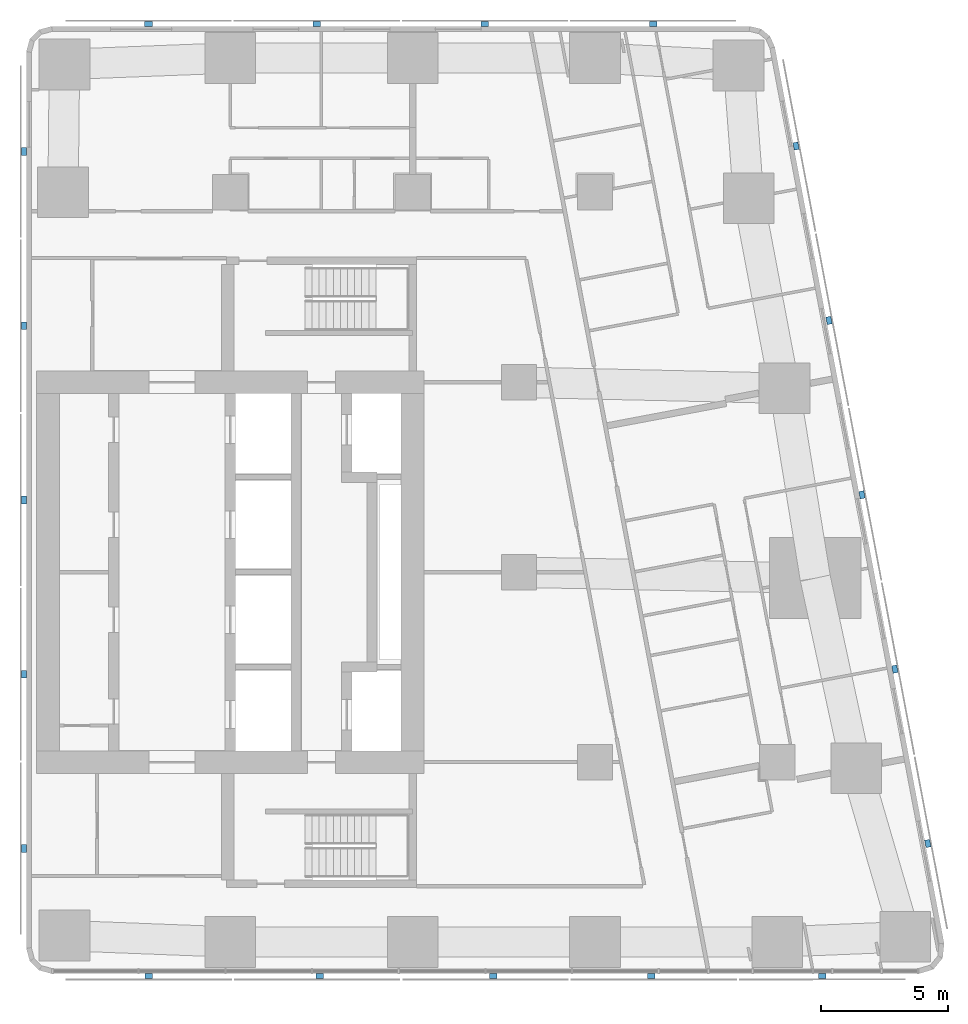
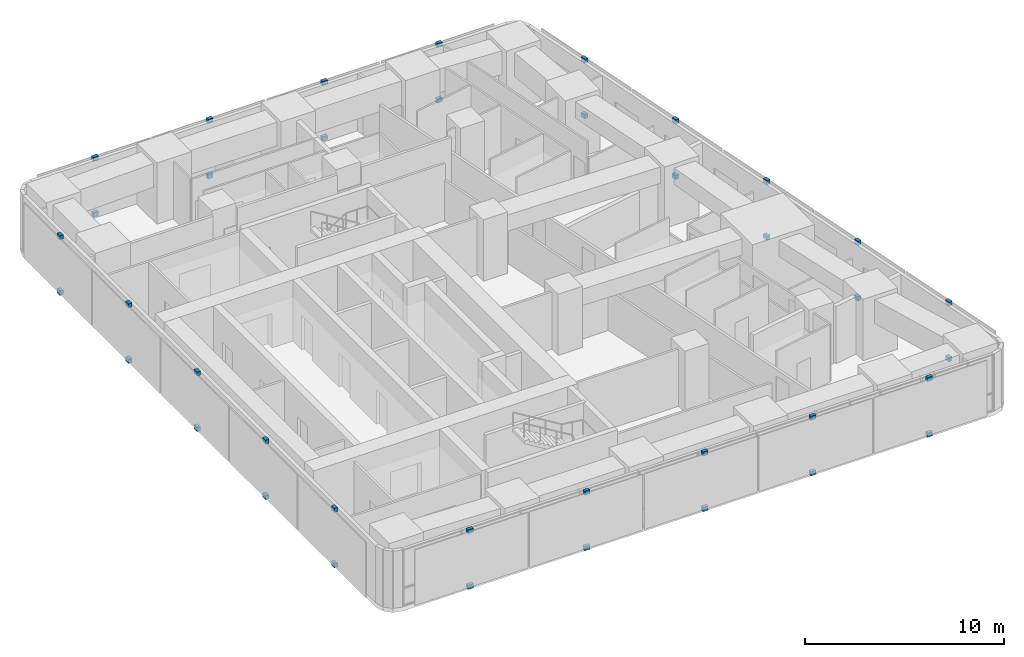
# One storey, part 9 of 11: 38 discrete accessories.
"""IFC4 building model written with IfcOpenShell, lengths in metres."""

from ifc_helpers import new_model, si_unit, direction, frame, origin, origin_2d, place, context, subcontext, project, spatial, rectangle, extrude, material, type_object, element, save


model = new_model("IFC4")

# Units and contexts
model_context = context("Model", 3, precision=1e-05, world=origin(), true_north=direction((0.0, 1.0)))
body_context = subcontext(model_context, "Body", "Model", "MODEL_VIEW")
ifc_project = project(units=[si_unit("LENGTHUNIT", "METRE"), si_unit("AREAUNIT", "SQUARE_METRE"), si_unit("VOLUMEUNIT", "CUBIC_METRE"), si_unit("PLANEANGLEUNIT", "RADIAN"), si_unit("MASSUNIT", "GRAM", prefix="KILO")], contexts=[model_context])

# Site, building, storey
site_placement = place(None, origin())
site = spatial("IfcSite", under=ifc_project, at=site_placement, CompositionType="ELEMENT")
building_placement = place(site_placement, origin())
building = spatial("IfcBuilding", under=site, at=building_placement, Name="Sheger Commons Tower", CompositionType="ELEMENT")
storey_placement = place(building_placement, frame((0.0, 0.0, 281.60009765625)))
storey = spatial("IfcBuildingStorey", under=building, at=storey_placement, Name="L72", CompositionType="ELEMENT", Elevation=281.60009765625)

# Discrete accessories
ifc_material = material(Name="Black painted steel bracket", Category="steel")
discrete_accessory_type = type_object("IfcDiscreteAccessoryType", Name="SCREEN BRACKET 300x200x250", PredefinedType="BRACKET", material=ifc_material)
for number, where, z_axis, x_axis, name in (
    (1, (18.375, 6.550048828125, -0.10009765625), (0.0, 0.0, 1.0), (1.0, 0.0, 0.0), "Solar screen foot bracket"),
    (2, (18.375, 6.550048828125, 3.2998046875), (0.0, 0.0, 1.0), (1.0, 0.0, 0.0), "Solar screen head bracket"),
    (3, (25.1259765625, 6.550048828125, -0.10009765625), (0.0, 0.0, 1.0), (1.0, 0.0, 0.0), "Solar screen foot bracket"),
    (4, (25.1259765625, 6.550048828125, 3.2998046875), (0.0, 0.0, 1.0), (1.0, 0.0, 0.0), "Solar screen head bracket"),
    (5, (31.97607421875, 6.550048828125, -0.10009765625), (0.0, 0.0, 1.0), (1.0, 0.0, 0.0), "Solar screen foot bracket"),
    (6, (31.97607421875, 6.550048828125, 3.2998046875), (0.0, 0.0, 1.0), (1.0, 0.0, 0.0), "Solar screen head bracket"),
    (7, (38.22607421875, 6.550048828125, -0.10009765625), (0.0, 0.0, 1.0), (1.0, 0.0, 0.0), "Solar screen foot bracket"),
    (8, (38.22607421875, 6.550048828125, 3.2998046875), (0.0, 0.0, 1.0), (1.0, 0.0, 0.0), "Solar screen head bracket"),
    (9, (44.97705078125, 6.550048828125, -0.10009765625), (0.0, 0.0, 1.0), (1.0, 0.0, 0.0), "Solar screen foot bracket"),
    (10, (44.97705078125, 6.550048828125, 3.2998046875), (0.0, 0.0, 1.0), (1.0, 0.0, 0.0), "Solar screen head bracket"),
    (11, (49.139892578125, 11.7880859375, -0.10009765625), (0.0, 0.0, 1.0), (-0.185615165645, 0.982622516678, 0.0), "Solar screen foot bracket"),
    (12, (49.139892578125, 11.7880859375, 3.2998046875), (0.0, 0.0, 1.0), (-0.185615165645, 0.982622516678, 0.0), "Solar screen head bracket"),
    (13, (47.840087890625, 18.6708984375, -0.10009765625), (0.0, 0.0, 1.0), (-0.185615165645, 0.982622516678, 0.0), "Solar screen foot bracket"),
    (14, (47.840087890625, 18.6708984375, 3.2998046875), (0.0, 0.0, 1.0), (-0.185615165645, 0.982622516678, 0.0), "Solar screen head bracket"),
    (15, (46.5400390625, 25.554931640625, -0.10009765625), (0.0, 0.0, 1.0), (-0.185615165645, 0.982622516678, 0.0), "Solar screen foot bracket"),
    (16, (46.5400390625, 25.554931640625, 3.2998046875), (0.0, 0.0, 1.0), (-0.185615165645, 0.982622516678, 0.0), "Solar screen head bracket"),
    (17, (45.239013671875, 32.43798828125, -0.10009765625), (0.0, 0.0, 1.0), (-0.185615165645, 0.982622516678, 0.0), "Solar screen foot bracket"),
    (18, (45.239013671875, 32.43798828125, 3.2998046875), (0.0, 0.0, 1.0), (-0.185615165645, 0.982622516678, 0.0), "Solar screen head bracket"),
    (19, (43.93896484375, 39.322021484375, -0.10009765625), (0.0, 0.0, 1.0), (-0.185615165645, 0.982622516678, 0.0), "Solar screen foot bracket"),
    (20, (43.93896484375, 39.322021484375, 3.2998046875), (0.0, 0.0, 1.0), (-0.185615165645, 0.982622516678, 0.0), "Solar screen head bracket"),
    (21, (38.2939453125, 44.14990234375, -0.10009765625), (0.0, 0.0, 1.0), (-1.0, 0.0, 0.0), "Solar screen foot bracket"),
    (22, (38.2939453125, 44.14990234375, 3.2998046875), (0.0, 0.0, 1.0), (-1.0, 0.0, 0.0), "Solar screen head bracket"),
    (23, (31.653076171875, 44.14990234375, -0.10009765625), (0.0, 0.0, 1.0), (-1.0, 0.0, 0.0), "Solar screen foot bracket"),
    (24, (31.653076171875, 44.14990234375, 3.2998046875), (0.0, 0.0, 1.0), (-1.0, 0.0, 0.0), "Solar screen head bracket"),
    (25, (25.011962890625, 44.14990234375, -0.10009765625), (0.0, 0.0, 1.0), (-1.0, 0.0, 0.0), "Solar screen foot bracket"),
    (26, (25.011962890625, 44.14990234375, 3.2998046875), (0.0, 0.0, 1.0), (-1.0, 0.0, 0.0), "Solar screen head bracket"),
    (27, (18.37109375, 44.14990234375, -0.10009765625), (0.0, 0.0, 1.0), (-1.0, 0.0, 0.0), "Solar screen foot bracket"),
    (28, (18.37109375, 44.14990234375, 3.2998046875), (0.0, 0.0, 1.0), (-1.0, 0.0, 0.0), "Solar screen head bracket"),
    (29, (13.449951171875, 39.110107421875, -0.10009765625), (0.0, 0.0, 1.0), (0.0, -1.0, 0.0), "Solar screen foot bracket"),
    (30, (13.449951171875, 39.110107421875, 3.2998046875), (0.0, 0.0, 1.0), (0.0, -1.0, 0.0), "Solar screen head bracket"),
    (31, (13.449951171875, 32.22998046875, -0.10009765625), (0.0, 0.0, 1.0), (0.0, -1.0, 0.0), "Solar screen foot bracket"),
    (32, (13.449951171875, 32.22998046875, 3.2998046875), (0.0, 0.0, 1.0), (0.0, -1.0, 0.0), "Solar screen head bracket"),
    (33, (13.449951171875, 25.35009765625, -0.10009765625), (0.0, 0.0, 1.0), (0.0, -1.0, 0.0), "Solar screen foot bracket"),
    (34, (13.449951171875, 25.35009765625, 3.2998046875), (0.0, 0.0, 1.0), (0.0, -1.0, 0.0), "Solar screen head bracket"),
    (35, (13.449951171875, 18.469970703125, -0.10009765625), (0.0, 0.0, 1.0), (0.0, -1.0, 0.0), "Solar screen foot bracket"),
    (36, (13.449951171875, 18.469970703125, 3.2998046875), (0.0, 0.0, 1.0), (0.0, -1.0, 0.0), "Solar screen head bracket"),
    (37, (13.449951171875, 11.590087890625, -0.10009765625), (0.0, 0.0, 1.0), (0.0, -1.0, 0.0), "Solar screen foot bracket"),
    (38, (13.449951171875, 11.590087890625, 3.2998046875), (0.0, 0.0, 1.0), (0.0, -1.0, 0.0), "Solar screen head bracket"),
):
    element("IfcDiscreteAccessory", number, at=place(storey_placement, frame(where, z_axis=z_axis, x_axis=x_axis)), inside=storey, type_object=discrete_accessory_type, Name=name, PredefinedType="BRACKET", context=body_context, shape_type="SweptSolid", body=[
        extrude(rectangle(XDim=0.300048828125, YDim=0.199951171875, at=origin_2d()), origin(), (0.0, 0.0, 1.0), 0.25),
    ])

save(model, "model.ifc")
